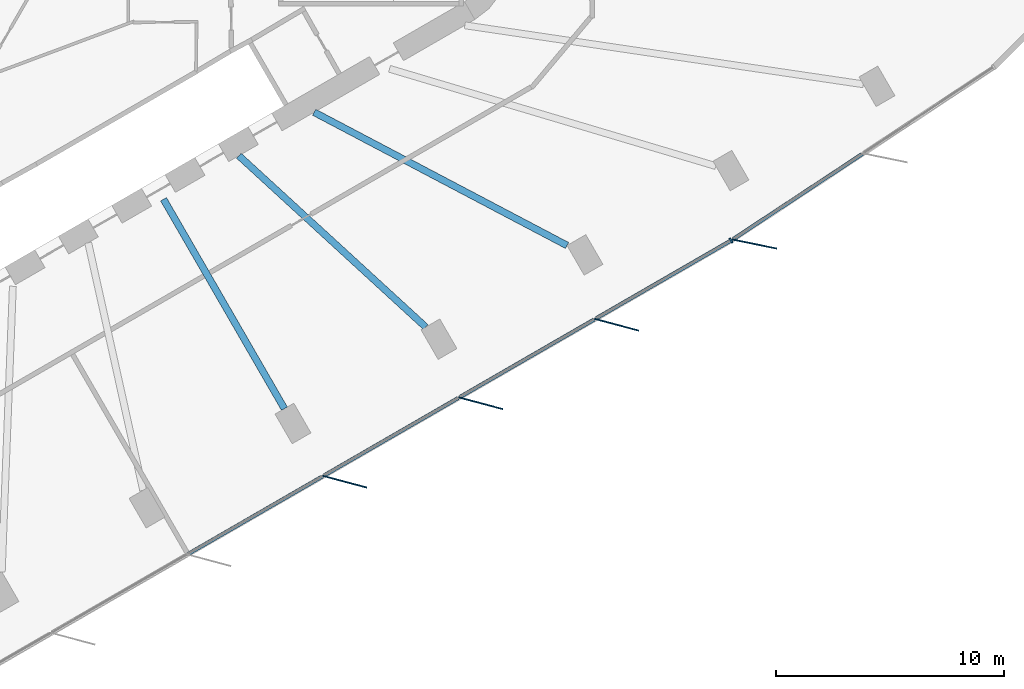
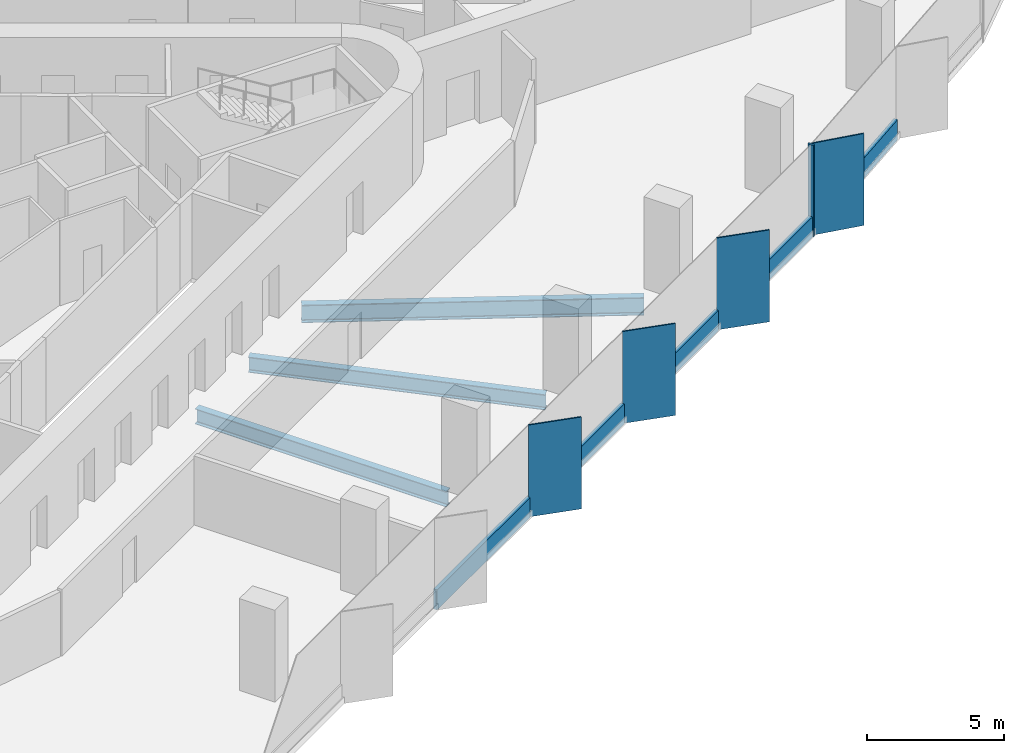
# One storey, part 3 of 14: 10 members, 3 beams, 2 elements without a shape of their own.
"""IFC4 building model written with IfcOpenShell, lengths in metres."""

from ifc_helpers import new_model, si_unit, direction, frame, origin, origin_2d, place, context, subcontext, project, spatial, rectangle, i_section, extrude, material, material_profile, profile_set, type_object, element, aggregate, save


model = new_model("IFC4")

# Units and contexts
model_context = context("Model", 3, precision=1e-05, world=origin(), true_north=direction((0.0, 1.0)))
body_context = subcontext(model_context, "Body", "Model", "MODEL_VIEW")
ifc_project = project(units=[si_unit("LENGTHUNIT", "METRE"), si_unit("AREAUNIT", "SQUARE_METRE"), si_unit("VOLUMEUNIT", "CUBIC_METRE"), si_unit("PLANEANGLEUNIT", "RADIAN"), si_unit("MASSUNIT", "GRAM", prefix="KILO")], contexts=[model_context])

# Site, building, storey
site_placement = place(None, origin())
site = spatial("IfcSite", under=ifc_project, at=site_placement, CompositionType="ELEMENT")
building_placement = place(site_placement, origin())
building = spatial("IfcBuilding", under=site, at=building_placement, Name="Tanit Gate Tower", CompositionType="ELEMENT")
storey_placement = place(building_placement, frame((0.0, 0.0, 53.699951171875)))
storey = spatial("IfcBuildingStorey", under=building, at=storey_placement, Name="L09", CompositionType="ELEMENT", Elevation=53.699951171875)

# Curtain wall, members
ifc_material_1 = material(Name="Aluminium bronze anodised and glass", Category="aluminium")
curtain_wall_type = type_object("IfcCurtainWallType", Name="Curtain wall typical low", PredefinedType="NOTDEFINED", material=ifc_material_1)
curtain_wall_1_placement = place(storey_placement, origin())
curtain_wall_1 = element("IfcCurtainWall", 1, at=curtain_wall_1_placement, inside=storey, type_object=curtain_wall_type, Name="Curtain wall L09 SE2", PredefinedType="NOTDEFINED")
ifc_material_2 = material(Name="Aluminium bronze anodised", Category="aluminium")
ifc_material_profile_1 = material_profile(ifc_material_2, rectangle(XDim=2.0, YDim=0.055908203125, at=origin_2d()), Name="56x2000 bronze fin mullion")
ifc_profile_set_1 = profile_set([ifc_material_profile_1], Name="Aluminium bronze anodised")
member_type_1 = type_object("IfcMemberType", Name="FIN MULLION 56x2000 bronze", PredefinedType="MULLION", material=ifc_profile_set_1)
member_1_placement = place(storey_placement, frame((13.998291015625, -22.863525390625, -0.300048828125), z_axis=(0.0, 0.0, 1.0), x_axis=(-0.965943770162, 0.25875206837, 0.0)))
member_1 = element("IfcMember", 2, at=member_1_placement, type_object=member_type_1, Name="Fin mullion L09 SE2.4", PredefinedType="MULLION", context=body_context, shape_type="SweptSolid", body=[
    extrude(rectangle(XDim=2.0, YDim=0.055908203125, at=origin_2d()), origin(), (0.0, 0.0, 1.0), 4.10009765625),
])
member_2_placement = place(storey_placement, frame((19.957763671875, -19.422119140625, -0.300048828125), z_axis=(0.0, 0.0, 1.0), x_axis=(-0.965943770162, 0.25875206837, 0.0)))
member_2 = element("IfcMember", 3, at=member_2_placement, type_object=member_type_1, Name="Fin mullion L09 SE2.5", PredefinedType="MULLION", context=body_context, shape_type="SweptSolid", body=[
    extrude(rectangle(XDim=2.0, YDim=0.055908203125, at=origin_2d()), origin(), (0.0, 0.0, 1.0), 4.10009765625),
])
member_3_placement = place(storey_placement, frame((25.91748046875, -15.98095703125, -0.300048828125), z_axis=(0.0, 0.0, 1.0), x_axis=(-0.965943770162, 0.25875206837, 0.0)))
member_3 = element("IfcMember", 4, at=member_3_placement, type_object=member_type_1, Name="Fin mullion L09 SE2.6", PredefinedType="MULLION", context=body_context, shape_type="SweptSolid", body=[
    extrude(rectangle(XDim=2.0, YDim=0.055908203125, at=origin_2d()), origin(), (0.0, 0.0, 1.0), 4.10009765625),
])

# Curtain wall, member
curtain_wall_2_placement = place(storey_placement, origin())
curtain_wall_2 = element("IfcCurtainWall", 5, at=curtain_wall_2_placement, inside=storey, type_object=curtain_wall_type, Name="Curtain wall L09 SE3", PredefinedType="NOTDEFINED")
member_4_placement = place(storey_placement, frame((31.958251953125, -12.44091796875, -0.300048828125), z_axis=(0.0, 0.0, 1.0), x_axis=(-0.979635285566, 0.200785226732, 0.0)))
member_4 = element("IfcMember", 6, at=member_4_placement, type_object=member_type_1, Name="Fin mullion L09 SE3.1", PredefinedType="MULLION", context=body_context, shape_type="SweptSolid", body=[
    extrude(rectangle(XDim=2.0, YDim=0.055908203125, at=origin_2d()), origin(), (0.0, 0.0, 1.0), 4.10009765625),
])

# Member
ifc_material_3 = material(Name="Aluminium bronze anodised", Category="aluminium")
ifc_material_profile_2 = material_profile(ifc_material_3, rectangle(XDim=0.239990234375, YDim=0.080078125, at=origin_2d()), Name="80x240 bronze mullion")
ifc_profile_set_2 = profile_set([ifc_material_profile_2], Name="Aluminium bronze anodised")
member_type_2 = type_object("IfcMemberType", Name="Mullion 80x240 typical low", PredefinedType="MULLION", material=ifc_profile_set_2)
member_5_placement = place(storey_placement, frame((30.932861328125, -12.28662109375, -0.300048828125), z_axis=(0.0, 0.0, 1.0), x_axis=(-0.500060047936, 0.865990732317, 0.0)))
member_5 = element("IfcMember", 7, at=member_5_placement, type_object=member_type_2, Name="Mullion L09 SE2.7", PredefinedType="MULLION", context=body_context, shape_type="SweptSolid", body=[
    extrude(rectangle(XDim=0.239990234375, YDim=0.080078125, at=origin_2d()), origin(), (0.0, 0.0, 1.0), 4.10009765625),
])

# Beams
ifc_material_4 = material(Name="Steel S355", Category="steel")
ifc_material_profile_3 = material_profile(ifc_material_4, i_section(OverallWidth=0.300048828125, OverallDepth=0.68994140625, WebThickness=0.014404296875, FlangeThickness=0.027099609375, FilletRadius=0.027099609375, at=origin_2d()), Name="HEA 700")
ifc_profile_set_3 = profile_set([ifc_material_profile_3], Name="Steel S355")
beam_type_1 = type_object("IfcBeamType", Name="RADIAL GIRDER HEA 700 S355", PredefinedType="BEAM", material=ifc_profile_set_3)
beam_1_placement = place(storey_placement, frame((11.351806640625, -19.661865234375, -0.64501953125), z_axis=(-0.500002863238, 0.866023750687, 0.0), x_axis=(-0.866023750687, -0.500002863238, 0.0)))
element("IfcBeam", 8, at=beam_1_placement, inside=storey, type_object=beam_type_1, Name="RADIAL GIRDER", PredefinedType="BEAM", context=body_context, shape_type="SweptSolid", body=[
    extrude(i_section(OverallWidth=0.300048828125, OverallDepth=0.68994140625, WebThickness=0.014404296875, FlangeThickness=0.027099609375, FilletRadius=0.027099609375, at=origin_2d()), origin(), (0.0, 0.0, 1.0), 10.6015625),
])
beam_2_placement = place(storey_placement, frame((17.548095703125, -16.084228515625, -0.64501953125), z_axis=(-0.737176932587, 0.675699763254, 0.0), x_axis=(-0.675699763254, -0.737176932587, 0.0)))
element("IfcBeam", 9, at=beam_2_placement, inside=storey, type_object=beam_type_1, Name="RADIAL GIRDER", PredefinedType="BEAM", context=body_context, shape_type="SweptSolid", body=[
    extrude(i_section(OverallWidth=0.300048828125, OverallDepth=0.68994140625, WebThickness=0.014404296875, FlangeThickness=0.027099609375, FilletRadius=0.027099609375, at=origin_2d()), origin(), (0.0, 0.0, 1.0), 11.115478515625),
])
ifc_material_5 = material(Name="Steel S355", Category="steel")
ifc_material_profile_4 = material_profile(ifc_material_5, i_section(OverallWidth=0.300048828125, OverallDepth=0.7900390625, WebThickness=0.014892578125, FlangeThickness=0.028076171875, FilletRadius=0.030029296875, at=origin_2d()), Name="HEA 800")
ifc_profile_set_4 = profile_set([ifc_material_profile_4], Name="Steel S355")
beam_type_2 = type_object("IfcBeamType", Name="RADIAL GIRDER HEA 800 S355", PredefinedType="BEAM", material=ifc_profile_set_4)
beam_3_placement = place(storey_placement, frame((23.74462890625, -12.506591796875, -0.695068359375), z_axis=(-0.884770690276, 0.466026636179, 0.0), x_axis=(-0.466026636179, -0.884770690276, 0.0)))
element("IfcBeam", 10, at=beam_3_placement, inside=storey, type_object=beam_type_2, Name="RADIAL GIRDER", PredefinedType="BEAM", context=body_context, shape_type="SweptSolid", body=[
    extrude(i_section(OverallWidth=0.300048828125, OverallDepth=0.7900390625, WebThickness=0.014892578125, FlangeThickness=0.028076171875, FilletRadius=0.030029296875, at=origin_2d()), origin(), (0.0, 0.0, 1.0), 12.53173828125),
])

# Member
ifc_material_6 = material(Name="Aluminium bronze anodised", Category="aluminium")
ifc_material_profile_5 = material_profile(ifc_material_6, rectangle(XDim=0.159912109375, YDim=0.89990234375, at=origin_2d()), Name="160x900 bronze transom")
ifc_profile_set_5 = profile_set([ifc_material_profile_5], Name="Aluminium bronze anodised")
member_type_3 = type_object("IfcMemberType", Name="Transom 160x900 typical low", PredefinedType="USERDEFINED", material=ifc_profile_set_5)
member_6_placement = place(storey_placement, frame((7.12939453125, -26.03173828125, 0.150146484375), z_axis=(0.865996688351, 0.500049733292, 0.0), x_axis=(-0.500049733292, 0.865996688351, 0.0)))
member_6 = element("IfcMember", 11, at=member_6_placement, type_object=member_type_3, Name="Transom L09 SE2.3", ObjectType="TRANSOM", PredefinedType="USERDEFINED", context=body_context, shape_type="SweptSolid", body=[
    extrude(rectangle(XDim=0.159912109375, YDim=0.89990234375, at=origin_2d()), origin(), (0.0, 0.0, 1.0), 6.801513671875),
])

member_7_placement = place(storey_placement, frame((13.0888671875, -22.590576171875, 0.150146484375), z_axis=(0.865981144299, 0.500076651843, 0.0), x_axis=(-0.500076651843, 0.865981144299, 0.0)))
member_7 = element("IfcMember", 12, at=member_7_placement, type_object=member_type_3, Name="Transom L09 SE2.4", ObjectType="TRANSOM", PredefinedType="USERDEFINED", context=body_context, shape_type="SweptSolid", body=[
    extrude(rectangle(XDim=0.159912109375, YDim=0.89990234375, at=origin_2d()), origin(), (0.0, 0.0, 1.0), 6.8017578125),
])

member_8_placement = place(storey_placement, frame((19.04833984375, -19.149169921875, 0.150146484375), z_axis=(0.866005663404, 0.500034189783, 0.0), x_axis=(-0.500034189783, 0.866005663404, 0.0)))
member_8 = element("IfcMember", 13, at=member_8_placement, type_object=member_type_3, Name="Transom L09 SE2.5", ObjectType="TRANSOM", PredefinedType="USERDEFINED", context=body_context, shape_type="SweptSolid", body=[
    extrude(rectangle(XDim=0.159912109375, YDim=0.89990234375, at=origin_2d()), origin(), (0.0, 0.0, 1.0), 6.8017578125),
])

member_9_placement = place(storey_placement, frame((25.0078125, -15.7080078125, 0.150146484375), z_axis=(0.865990120158, 0.500061108055, 0.0), x_axis=(-0.500061108055, 0.865990120158, 0.0)))
member_9 = element("IfcMember", 14, at=member_9_placement, type_object=member_type_3, Name="Transom L09 SE2.6", ObjectType="TRANSOM", PredefinedType="USERDEFINED", context=body_context, shape_type="SweptSolid", body=[
    extrude(rectangle(XDim=0.159912109375, YDim=0.89990234375, at=origin_2d()), origin(), (0.0, 0.0, 1.0), 6.802001953125),
])

aggregate(curtain_wall_1, [member_1, member_2, member_3, member_5, member_6, member_7, member_8, member_9])

member_10_placement = place(storey_placement, frame((31.0341796875, -12.22265625, 0.150146484375), z_axis=(0.834688519211, 0.550722321953, 0.0), x_axis=(-0.550722321953, 0.834688519211, 0.0)))
member_10 = element("IfcMember", 15, at=member_10_placement, type_object=member_type_3, Name="Transom L09 SE3.1", ObjectType="TRANSOM", PredefinedType="USERDEFINED", context=body_context, shape_type="SweptSolid", body=[
    extrude(rectangle(XDim=0.159912109375, YDim=0.89990234375, at=origin_2d()), origin(), (0.0, 0.0, 1.0), 6.78076171875),
])

aggregate(curtain_wall_2, [member_4, member_10])

save(model, "model.ifc")
